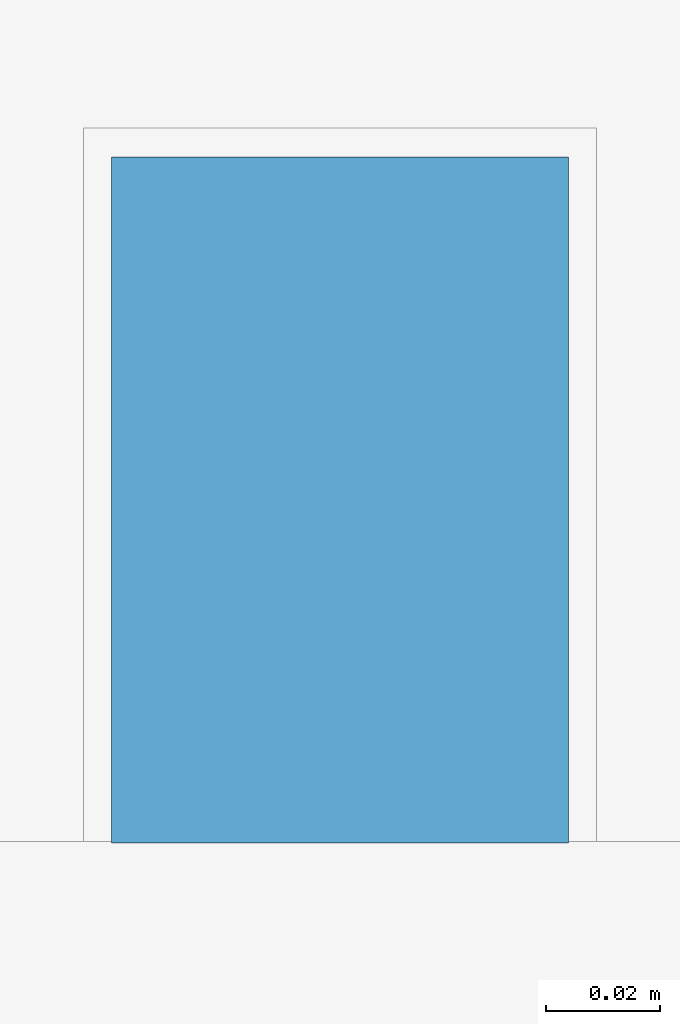
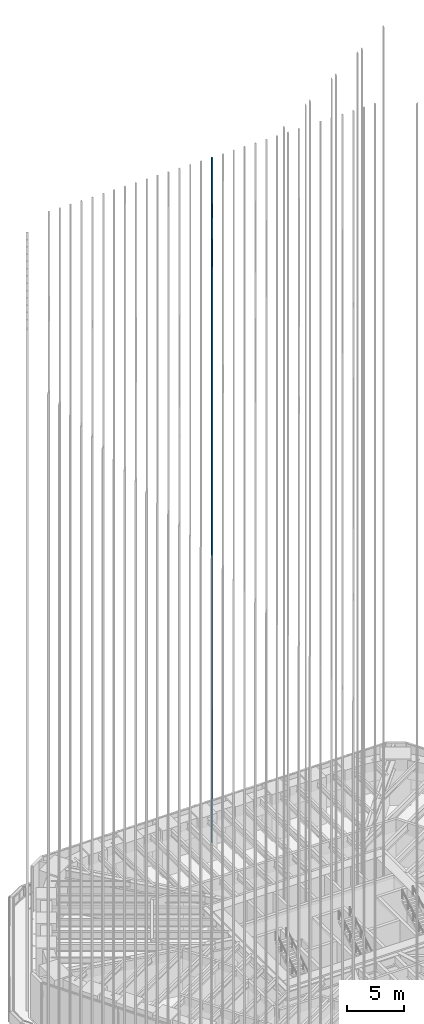
# One storey, part 174 of 228: 1 member, 1 element without a shape of its own.
"""IFC4 building model written with IfcOpenShell, lengths in metres."""

from ifc_helpers import new_model, si_unit, direction, frame, origin, origin_2d, place, context, subcontext, project, spatial, rectangle, extrude, material, material_profile, profile_set, type_object, element, aggregate, save


model = new_model("IFC4")

# Units and contexts
model_context = context("Model", 3, precision=1e-05, world=origin(), true_north=direction((0.0, 1.0)))
body_context = subcontext(model_context, "Body", "Model", "MODEL_VIEW")
ifc_project = project(units=[si_unit("LENGTHUNIT", "METRE"), si_unit("AREAUNIT", "SQUARE_METRE"), si_unit("VOLUMEUNIT", "CUBIC_METRE"), si_unit("PLANEANGLEUNIT", "RADIAN"), si_unit("MASSUNIT", "GRAM", prefix="KILO")], contexts=[model_context])

# Site, building, storey
site_placement = place(None, origin())
site = spatial("IfcSite", under=ifc_project, at=site_placement, CompositionType="ELEMENT")
building_placement = place(site_placement, origin())
building = spatial("IfcBuilding", under=site, at=building_placement, Name="Sandreach Pilgrim Tower", CompositionType="ELEMENT")
storey_placement = place(building_placement, frame((0.0, 0.0, 178.199951171875)))
storey = spatial("IfcBuildingStorey", under=building, at=storey_placement, Name="L44", CompositionType="ELEMENT", Elevation=178.199951171875)

# Curtain wall, member
ifc_material_1 = material(Name="Aluminium framed curtain wall", Category="aluminium")
curtain_wall_type = type_object("IfcCurtainWallType", Name="Upper hotel tower curtain wall", PredefinedType="NOTDEFINED", material=ifc_material_1)
curtain_wall_placement = place(storey_placement, origin())
curtain_wall = element("IfcCurtainWall", 1, at=curtain_wall_placement, inside=storey, type_object=curtain_wall_type, Name="CW-3 L44 N", PredefinedType="NOTDEFINED")
ifc_material_2 = material(Name="Extruded terracotta on aluminium core", Category="masonry")
ifc_material_profile = material_profile(ifc_material_2, rectangle(XDim=0.080078125, YDim=0.1201171875, at=origin_2d()), Name="TBN 80X120")
ifc_profile_set = profile_set([ifc_material_profile], Name="Extruded terracotta on aluminium core")
member_type = type_object("IfcMemberType", Name="Terracotta baguette north", PredefinedType="USERDEFINED", material=ifc_profile_set)
member_placement = place(storey_placement, frame((0.0, 21.52001953125, 0.0), z_axis=(0.0, 0.0, 1.0), x_axis=(1.0, 0.0, 0.0)))
member = element("IfcMember", 2, at=member_placement, type_object=member_type, Name="Baguette Z3 N16", ObjectType="BAGUETTE", PredefinedType="USERDEFINED", context=body_context, shape_type="SweptSolid", body=[
    extrude(rectangle(XDim=0.080078125, YDim=0.1201171875, at=origin_2d()), origin(), (0.0, 0.0, 1.0), 73.239990234375),
])
aggregate(curtain_wall, [member])

save(model, "model.ifc")
